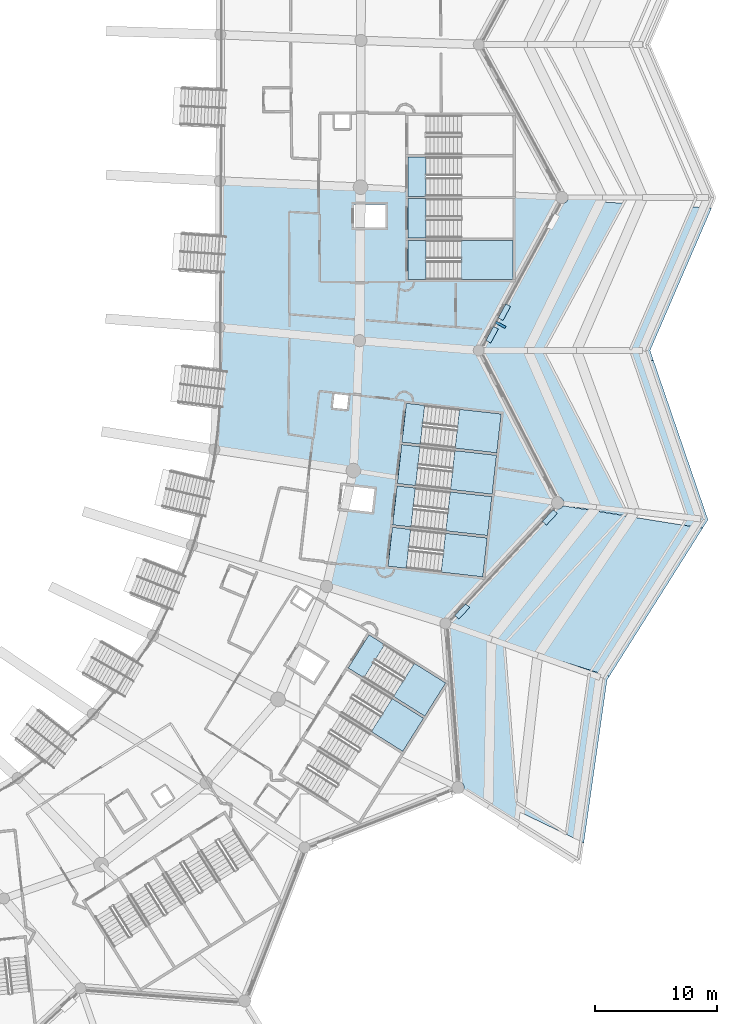
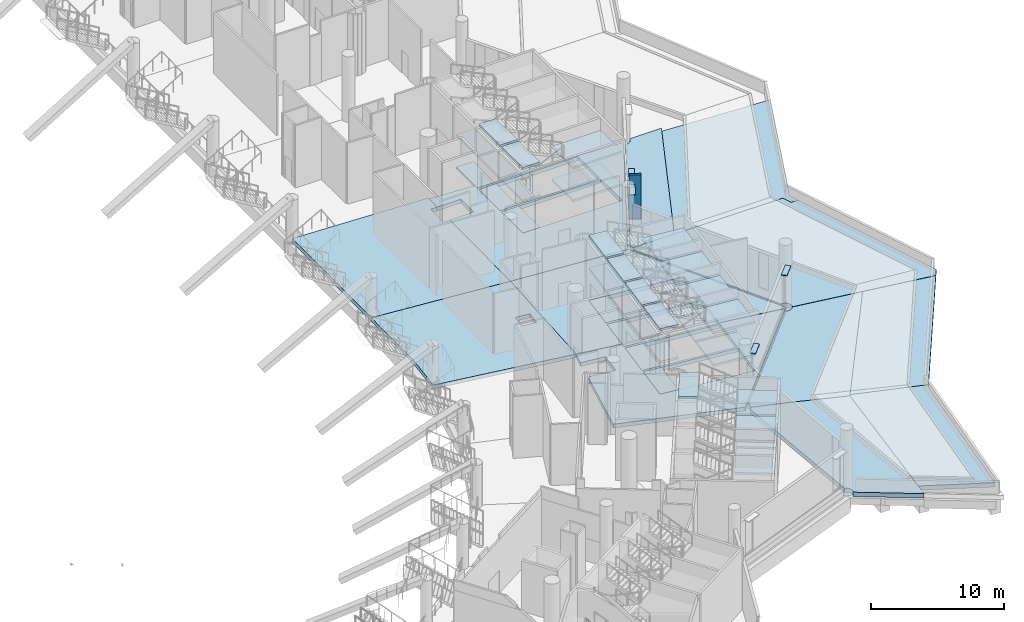
# One storey, part 30 of 173: 47 slabs, 5 plates, 9 elements without a shape of their own.
"""IFC4 building model written with IfcOpenShell, lengths in metres."""

from ifc_helpers import new_model, si_unit, direction, frame, origin, origin_2d, place, context, subcontext, project, spatial, polyline, rectangle, outline, extrude, material, layer, layer_set, type_object, element, aggregate, save


model = new_model("IFC4")

# Units and contexts
model_context = context("Model", 3, precision=1e-05, world=origin(), true_north=direction((0.0, 1.0)))
body_context = subcontext(model_context, "Body", "Model", "MODEL_VIEW")
ifc_project = project(units=[si_unit("LENGTHUNIT", "METRE"), si_unit("AREAUNIT", "SQUARE_METRE"), si_unit("VOLUMEUNIT", "CUBIC_METRE"), si_unit("PLANEANGLEUNIT", "RADIAN"), si_unit("MASSUNIT", "GRAM", prefix="KILO")], contexts=[model_context])

# Site, building, storey
site_placement = place(None, origin())
site = spatial("IfcSite", under=ifc_project, at=site_placement, CompositionType="ELEMENT")
building_placement = place(site_placement, origin())
building = spatial("IfcBuilding", under=site, at=building_placement, Name="Meseta Stadium", CompositionType="ELEMENT")
storey_placement = place(building_placement, frame((0.0, 0.0, 18.0)))
storey = spatial("IfcBuildingStorey", under=building, at=storey_placement, Name="L03", CompositionType="ELEMENT", Elevation=18.0)

# Slabs
ifc_material_1 = material(Name="Concrete C40/50", Category="concrete")
ifc_layer_1 = layer(ifc_material_1, 0.35009765625)
ifc_layer_set_1 = layer_set([ifc_layer_1], Name="Floor slab 350")
slab_type_1 = type_object("IfcSlabType", Name="Floor slab 350", PredefinedType="FLOOR", material=ifc_layer_set_1)
slab_1_placement = place(storey_placement, frame((0.0, 0.0, -0.35009765625)))
element("IfcSlab", 1, at=slab_1_placement, inside=storey, type_object=slab_type_1, Name="Floor slab L03 sector 00 panel 01", PredefinedType="FLOOR", context=body_context, shape_type="SweptSolid", body=[
    extrude(outline(polyline([(73.40478515625, -41.8623046875), (73.375732421875, -47.840087890625), (73.287353515625, -49.1796875), (73.15966796875, -50.515625), (72.993408203125, -51.837158203125), (84.34033203125, -53.664794921875), (84.36328125, -53.5654296875), (84.85400390625, -42.948486328125), (73.40478515625, -41.8623046875)]), holes=[polyline([(83.84716796875, -48.57861328125), (82.65478515625, -48.444091796875), (82.7890625, -47.251708984375), (83.9814453125, -47.385986328125), (83.84716796875, -48.57861328125)])]), origin(), (0.0, 0.0, 1.0), 0.35009765625),
])
slab_2_placement = place(storey_placement, frame((0.0, 0.0, -0.35009765625)))
element("IfcSlab", 2, at=slab_2_placement, inside=storey, type_object=slab_type_1, Name="Floor slab L03 sector 00 panel 03", PredefinedType="FLOOR", context=body_context, shape_type="SweptSolid", body=[
    extrude(outline(polyline([(84.39990234375, -31.800048828125), (84.93115234375, -31.800048828125), (84.940673828125, -30.404052734375), (73.451416015625, -29.904052734375), (73.429931640625, -35.883544921875), (73.40478515625, -41.8623046875), (84.85400390625, -42.948486328125), (84.91796875, -33.699951171875), (84.39990234375, -33.699951171875), (84.39990234375, -31.800048828125)])), origin(), (0.0, 0.0, 1.0), 0.35009765625),
])
slab_3_placement = place(storey_placement, frame((0.0, 0.0, -0.35009765625)))
element("IfcSlab", 3, at=slab_3_placement, inside=storey, type_object=slab_type_1, Name="Floor slab L03 sector 00 panel 11", PredefinedType="FLOOR", context=body_context, shape_type="SweptSolid", body=[
    extrude(outline(polyline([(84.91796875, -33.699951171875), (84.85400390625, -42.948486328125), (94.60009765625, -43.75), (101.301513671875, -31.430908203125), (96.176025390625, -31.14990234375), (88.800048828125, -31.14990234375), (88.800048828125, -30.74560546875), (84.939697265625, -30.533935546875), (84.93115234375, -31.800048828125), (87.0, -31.800048828125), (87.0, -33.699951171875), (84.91796875, -33.699951171875)]), holes=[polyline([(88.800048828125, -34.75), (97.39990234375, -34.75), (97.39990234375, -37.949951171875), (88.800048828125, -37.949951171875), (88.800048828125, -34.75)]), polyline([(88.800048828125, -31.35009765625), (97.39990234375, -31.35009765625), (97.39990234375, -34.550048828125), (88.800048828125, -34.550048828125), (88.800048828125, -31.35009765625)])]), origin(), (0.0, 0.0, 1.0), 0.35009765625),
])
slab_4_placement = place(storey_placement, frame((0.0, 0.0, -0.35009765625)))
element("IfcSlab", 4, at=slab_4_placement, inside=storey, type_object=slab_type_1, Name="Floor slab L03 sector 00 panel 13", PredefinedType="FLOOR", context=body_context, shape_type="SweptSolid", body=[
    extrude(outline(polyline([(96.05517578125, -52.319091796875), (95.697509765625, -55.493896484375), (100.927490234375, -56.336181640625), (101.0517578125, -56.202880859375), (94.60009765625, -43.75), (84.85400390625, -42.948486328125), (84.36328125, -53.5654296875), (84.34033203125, -53.664794921875), (87.98779296875, -54.252197265625), (88.30419921875, -51.44580078125), (96.05517578125, -52.319091796875)]), holes=[polyline([(96.077392578125, -52.1201171875), (88.326416015625, -51.246826171875), (88.684814453125, -48.06689453125), (96.435791015625, -48.9404296875), (96.077392578125, -52.1201171875)])]), origin(), (0.0, 0.0, 1.0), 0.35009765625),
])
slab_5_placement = place(storey_placement, frame((0.0, 0.0, -0.35009765625)))
element("IfcSlab", 5, at=slab_5_placement, inside=storey, type_object=slab_type_1, Name="Floor slab L03 sector 49 panel 12", PredefinedType="FLOOR", context=body_context, shape_type="SweptSolid", body=[
    extrude(outline(polyline([(82.169189453125, -63.03369140625), (91.872802734375, -66.051513671875), (100.910888671875, -56.353759765625), (95.3837890625, -55.463623046875), (87.94580078125, -54.62548828125), (87.985595703125, -54.272216796875), (84.335693359375, -53.684326171875), (84.0673828125, -54.842529296875), (86.08447265625, -55.06982421875), (85.87158203125, -56.9580078125), (83.635498046875, -56.7060546875), (82.169189453125, -63.03369140625)]), holes=[polyline([(87.1845703125, -61.3828125), (87.542724609375, -58.202880859375), (95.293701171875, -59.076171875), (94.935302734375, -62.256103515625), (87.1845703125, -61.3828125)]), polyline([(87.565185546875, -58.004150390625), (87.923583984375, -54.82421875), (95.67431640625, -55.697509765625), (95.316162109375, -58.87744140625), (87.565185546875, -58.004150390625)])]), origin(), (0.0, 0.0, 1.0), 0.35009765625),
])

# Plates
ifc_material_2 = material(Name="White precast concrete C40/50", Category="concrete")
ifc_layer_2 = layer(ifc_material_2, 0.080078125)
ifc_layer_set_2 = layer_set([ifc_layer_2], Name="Louvre hood 1300x450")
plate_type_1 = type_object("IfcPlateType", Name="Louvre hood 1300x450", PredefinedType="USERDEFINED", material=ifc_layer_set_2)
for number, where, z_axis, x_axis, name in (
    (6, (95.696044921875, -42.4677734375, 4.25), (0.0, 0.0, 1.0), (0.477867090202, 0.878432151109, 0.0), "Louvre hood L03 F01"),
    (7, (96.699462890625, -40.623046875, 4.25), (0.0, 0.0, 1.0), (0.477867090202, 0.878432151109, 0.0), "Louvre hood L03 F01"),
    (8, (93.253662109375, -65.083251953125, 4.25), (0.0, 0.0, 1.0), (0.681793203245, 0.731544959663, 0.0), "Louvre hood L03 F55"),
    (9, (100.41259765625, -57.40185546875, 4.25), (0.0, 0.0, 1.0), (0.681793203245, 0.731544959663, 0.0), "Louvre hood L03 F55"),
):
    element("IfcPlate", number, at=place(storey_placement, frame(where, z_axis=z_axis, x_axis=x_axis)), inside=storey, type_object=plate_type_1, Name=name, ObjectType="LOUVRE", PredefinedType="USERDEFINED", context=body_context, shape_type="SweptSolid", body=[
        extrude(rectangle(XDim=1.300048828125, YDim=0.449951171875, at=origin_2d()), origin(), (0.0, 0.0, 1.0), 0.080078125),
    ])
ifc_material_3 = material(Name="Precast concrete C40/50, terracotta pigment", Category="masonry")
ifc_layer_3 = layer(ifc_material_3, 0.199951171875)
ifc_layer_set_3 = layer_set([ifc_layer_3], Name="Precast concrete C40/50, terracotta pigment")
plate_type_2 = type_object("IfcPlateType", Name="Precast fin 200x900", PredefinedType="USERDEFINED", material=ifc_layer_set_3)
plate_placement = place(storey_placement, frame((96.395263671875, -41.653076171875, 0.9501953125), z_axis=(0.0, 0.0, 1.0), x_axis=(-0.47786723231, -0.878432073802, 0.0)))
element("IfcPlate", 10, at=plate_placement, inside=storey, type_object=plate_type_2, Name="Precast fin L03 F01.2", ObjectType="FIN", PredefinedType="USERDEFINED", context=body_context, shape_type="SweptSolid", body=[
    extrude(rectangle(XDim=0.199951171875, YDim=0.89990234375, at=origin_2d()), origin(), (0.0, 0.0, 1.0), 4.050048828125),
])

# Slabs
ifc_material_4 = material(Name="Concrete C40/50", Category="concrete")
ifc_layer_4 = layer(ifc_material_4, 0.39990234375)
ifc_layer_set_4 = layer_set([ifc_layer_4], Name="Roof garden slab 400")
slab_type_2 = type_object("IfcSlabType", Name="Roof garden slab 400", PredefinedType="ROOF", material=ifc_layer_set_4)
slab_6_placement = place(storey_placement, frame((0.0, 0.0, -0.39990234375)))
element("IfcSlab", 11, at=slab_6_placement, inside=storey, type_object=slab_type_2, Name="Roof garden slab 8 part 1 panel 01", PredefinedType="ROOF", context=body_context, shape_type="SweptSolid", body=[
    extrude(outline(polyline([(93.333740234375, -79.74169921875), (97.851806640625, -82.580810546875), (99.423828125, -68.69384765625), (95.08154296875, -67.17431640625), (92.2578125, -66.2890625), (92.193603515625, -66.37255859375), (92.099609375, -66.444580078125), (92.054931640625, -66.463134765625), (93.021240234375, -78.985107421875), (93.0390625, -78.9873046875), (93.16064453125, -79.037841796875), (93.26513671875, -79.117919921875), (93.34521484375, -79.222412109375), (93.395751953125, -79.343994140625), (93.412841796875, -79.474609375), (93.395751953125, -79.60498046875), (93.34521484375, -79.726806640625), (93.333740234375, -79.74169921875)])), origin(), (0.0, 0.0, 1.0), 0.39990234375),
])
slab_7_placement = place(storey_placement, frame((0.0, 0.0, -0.39990234375)))
element("IfcSlab", 12, at=slab_7_placement, inside=storey, type_object=slab_type_2, Name="Roof garden slab 8 part 1 panel 02", PredefinedType="ROOF", context=body_context, shape_type="SweptSolid", body=[
    extrude(outline(polyline([(95.08154296875, -67.17431640625), (99.423828125, -68.69384765625), (107.08056640625, -57.347412109375), (101.49169921875, -56.447265625), (101.48828125, -56.455078125), (101.408203125, -56.559326171875), (101.3037109375, -56.6396484375), (101.18212890625, -56.68994140625), (101.0517578125, -56.70703125), (100.921142578125, -56.68994140625), (100.835693359375, -56.654541015625), (92.27294921875, -65.842041015625), (92.31103515625, -65.93408203125), (92.32666015625, -66.051513671875), (92.31103515625, -66.1689453125), (92.265869140625, -66.278564453125), (92.2578125, -66.2890625), (95.08154296875, -67.17431640625)])), origin(), (0.0, 0.0, 1.0), 0.39990234375),
])
slab_8_placement = place(storey_placement, frame((0.0, 0.0, -0.39990234375)))
element("IfcSlab", 13, at=slab_8_placement, inside=storey, type_object=slab_type_2, Name="Roof garden slab 8 part 1 panel 04", PredefinedType="ROOF", context=body_context, shape_type="SweptSolid", body=[
    extrude(outline(polyline([(99.51171875, -68.5634765625), (99.423828125, -68.69384765625), (97.9755859375, -81.487060546875), (103.186279296875, -83.992919921875), (105.087158203125, -70.675537109375), (105.27880859375, -70.37158203125), (99.51171875, -68.5634765625)])), origin(), (0.0, 0.0, 1.0), 0.39990234375),
])
slab_9_placement = place(storey_placement, frame((0.0, 0.0, -0.39990234375)))
element("IfcSlab", 14, at=slab_9_placement, inside=storey, type_object=slab_type_2, Name="Roof garden slab 8 part 1 panel 05", PredefinedType="ROOF", context=body_context, shape_type="SweptSolid", body=[
    extrude(outline(polyline([(107.08056640625, -57.347412109375), (99.51171875, -68.5634765625), (105.27880859375, -70.37158203125), (112.895263671875, -58.283935546875), (107.08056640625, -57.347412109375)])), origin(), (0.0, 0.0, 1.0), 0.39990234375),
])
slab_10_placement = place(storey_placement, frame((0.0, 0.0, -0.39990234375)))
element("IfcSlab", 15, at=slab_10_placement, inside=storey, type_object=slab_type_2, Name="Roof garden slab 8 part 2 panel 01", PredefinedType="ROOF", context=body_context, shape_type="SweptSolid", body=[
    extrude(outline(polyline([(101.652099609375, -31.686767578125), (101.530517578125, -31.737060546875), (101.39990234375, -31.75439453125), (101.30322265625, -31.74169921875), (94.935302734375, -43.44775390625), (94.9931640625, -43.523193359375), (95.038330078125, -43.632568359375), (95.053955078125, -43.75), (98.0, -43.75), (98.578369140625, -43.79443359375), (104.699951171875, -31.25), (101.904296875, -31.25), (101.88720703125, -31.380615234375), (101.836669921875, -31.502197265625), (101.756591796875, -31.606689453125), (101.652099609375, -31.686767578125)])), origin(), (0.0, 0.0, 1.0), 0.39990234375),
])
slab_11_placement = place(storey_placement, frame((0.0, 0.0, -0.39990234375)))
element("IfcSlab", 16, at=slab_11_placement, inside=storey, type_object=slab_type_2, Name="Roof garden slab 8 part 2 panel 03", PredefinedType="ROOF", context=body_context, shape_type="SweptSolid", body=[
    extrude(outline(polyline([(108.0, -43.75), (98.60009765625, -43.75), (98.578369140625, -43.79443359375), (98.0, -43.75), (95.053955078125, -43.75), (95.038330078125, -43.867431640625), (94.9931640625, -43.976806640625), (94.929443359375, -44.059814453125), (100.965087890625, -55.7099609375), (101.0517578125, -55.698486328125), (101.18212890625, -55.7158203125), (101.3037109375, -55.76611328125), (101.408203125, -55.84619140625), (101.48828125, -55.95068359375), (101.538818359375, -56.072265625), (101.555908203125, -56.202880859375), (101.538818359375, -56.33349609375), (101.49951171875, -56.42822265625), (112.906982421875, -58.265380859375), (113.334716796875, -57.5869140625), (108.885986328125, -44.58544921875), (108.271240234375, -44.538330078125), (108.0, -43.75)])), origin(), (0.0, 0.0, 1.0), 0.39990234375),
])
slab_12_placement = place(storey_placement, frame((0.0, 0.0, -0.39990234375)))
element("IfcSlab", 17, at=slab_12_placement, inside=storey, type_object=slab_type_2, Name="Roof garden slab 8 part 2 panel 05", PredefinedType="ROOF", context=body_context, shape_type="SweptSolid", body=[
    extrude(outline(polyline([(104.525390625, -31.60791015625), (98.60009765625, -43.75), (108.0, -43.75), (108.271240234375, -44.538330078125), (108.885986328125, -44.58544921875), (108.60009765625, -43.75), (113.6298828125, -32.10693359375), (104.525390625, -31.60791015625)])), origin(), (0.0, 0.0, 1.0), 0.39990234375),
])

# Stair, slabs
ifc_material_5 = material(Name="Concrete C40/50", Category="concrete")
stair_type = type_object("IfcStairType", Name="Exit stair 4 flights 150 mm risers", PredefinedType="HALF_TURN_STAIR", material=ifc_material_5)
stair_1_placement = place(storey_placement, origin())
stair_1 = element("IfcStair", 18, at=stair_1_placement, inside=storey, type_object=stair_type, Name="ST1 L03", PredefinedType="HALF_TURN_STAIR")
ifc_material_6 = material(Name="Concrete C40/50", Category="concrete")
ifc_layer_5 = layer(ifc_material_6, 0.199951171875)
ifc_layer_set_5 = layer_set([ifc_layer_5], Name="Stair landing 200")
slab_type_3 = type_object("IfcSlabType", Name="Stair landing 200", PredefinedType="LANDING", material=ifc_layer_set_5)
slab_13_placement = place(storey_placement, frame((0.0, 0.0, 1.300048828125)))
slab_13 = element("IfcSlab", 19, at=slab_13_placement, type_object=slab_type_3, Name="ST1 L03 landing 1", PredefinedType="LANDING", context=body_context, shape_type="SweptSolid", body=[
    extrude(outline(polyline([(91.527099609375, -61.8720703125), (94.935546875, -62.256103515625), (95.293701171875, -59.076171875), (91.88525390625, -58.692138671875), (91.527099609375, -61.8720703125)])), origin(), (0.0, 0.0, 1.0), 0.199951171875),
])
slab_14_placement = place(storey_placement, frame((0.0, 0.0, 2.800048828125)))
slab_14 = element("IfcSlab", 20, at=slab_14_placement, type_object=slab_type_3, Name="ST1 L03 landing 2", PredefinedType="LANDING", context=body_context, shape_type="SweptSolid", body=[
    extrude(outline(polyline([(87.1845703125, -61.3828125), (88.68505859375, -61.5517578125), (89.043212890625, -58.3720703125), (87.542724609375, -58.202880859375), (87.1845703125, -61.3828125)])), origin(), (0.0, 0.0, 1.0), 0.199951171875),
])
slab_15_placement = place(storey_placement, frame((0.0, 0.0, 4.300048828125)))
slab_15 = element("IfcSlab", 21, at=slab_15_placement, type_object=slab_type_3, Name="ST1 L03 landing 3", PredefinedType="LANDING", context=body_context, shape_type="SweptSolid", body=[
    extrude(outline(polyline([(91.527099609375, -61.8720703125), (94.935546875, -62.256103515625), (95.293701171875, -59.076171875), (91.88525390625, -58.692138671875), (91.527099609375, -61.8720703125)])), origin(), (0.0, 0.0, 1.0), 0.199951171875),
])
slab_16_placement = place(storey_placement, frame((0.0, 0.0, -0.199951171875)))
slab_16 = element("IfcSlab", 22, at=slab_16_placement, type_object=slab_type_3, Name="ST1 L03 landing 4", PredefinedType="LANDING", context=body_context, shape_type="SweptSolid", body=[
    extrude(outline(polyline([(87.1845703125, -61.3828125), (88.68505859375, -61.5517578125), (89.043212890625, -58.3720703125), (87.542724609375, -58.202880859375), (87.1845703125, -61.3828125)])), origin(), (0.0, 0.0, 1.0), 0.199951171875),
])
slab_17_placement = place(storey_placement, frame((0.0, 0.0, 5.800048828125)))
slab_17 = element("IfcSlab", 23, at=slab_17_placement, type_object=slab_type_3, Name="ST1 L03 landing 5", PredefinedType="LANDING", context=body_context, shape_type="SweptSolid", body=[
    extrude(outline(polyline([(87.1845703125, -61.3828125), (88.68505859375, -61.5517578125), (89.043212890625, -58.3720703125), (87.542724609375, -58.202880859375), (87.1845703125, -61.3828125)])), origin(), (0.0, 0.0, 1.0), 0.199951171875),
])
aggregate(stair_1, [slab_13, slab_14, slab_15, slab_16, slab_17])

stair_2_placement = place(storey_placement, origin())
stair_2 = element("IfcStair", 24, at=stair_2_placement, inside=storey, type_object=stair_type, Name="ST2 L03", PredefinedType="HALF_TURN_STAIR")
slab_18_placement = place(storey_placement, frame((0.0, 0.0, 1.300048828125)))
slab_18 = element("IfcSlab", 25, at=slab_18_placement, type_object=slab_type_3, Name="ST2 L03 landing 1", PredefinedType="LANDING", context=body_context, shape_type="SweptSolid", body=[
    extrude(outline(polyline([(91.90771484375, -58.493408203125), (95.316162109375, -58.87744140625), (95.67431640625, -55.697509765625), (92.265869140625, -55.3134765625), (91.90771484375, -58.493408203125)])), origin(), (0.0, 0.0, 1.0), 0.199951171875),
])
slab_19_placement = place(storey_placement, frame((0.0, 0.0, 2.800048828125)))
slab_19 = element("IfcSlab", 26, at=slab_19_placement, type_object=slab_type_3, Name="ST2 L03 landing 2", PredefinedType="LANDING", context=body_context, shape_type="SweptSolid", body=[
    extrude(outline(polyline([(87.565185546875, -58.004150390625), (89.065673828125, -58.17333984375), (89.424072265625, -54.993408203125), (87.92333984375, -54.82421875), (87.565185546875, -58.004150390625)])), origin(), (0.0, 0.0, 1.0), 0.199951171875),
])
slab_20_placement = place(storey_placement, frame((0.0, 0.0, 4.300048828125)))
slab_20 = element("IfcSlab", 27, at=slab_20_placement, type_object=slab_type_3, Name="ST2 L03 landing 3", PredefinedType="LANDING", context=body_context, shape_type="SweptSolid", body=[
    extrude(outline(polyline([(91.90771484375, -58.493408203125), (95.316162109375, -58.87744140625), (95.67431640625, -55.697509765625), (92.265869140625, -55.3134765625), (91.90771484375, -58.493408203125)])), origin(), (0.0, 0.0, 1.0), 0.199951171875),
])
slab_21_placement = place(storey_placement, frame((0.0, 0.0, -0.199951171875)))
slab_21 = element("IfcSlab", 28, at=slab_21_placement, type_object=slab_type_3, Name="ST2 L03 landing 4", PredefinedType="LANDING", context=body_context, shape_type="SweptSolid", body=[
    extrude(outline(polyline([(87.565185546875, -58.004150390625), (89.065673828125, -58.17333984375), (89.424072265625, -54.993408203125), (87.92333984375, -54.82421875), (87.565185546875, -58.004150390625)])), origin(), (0.0, 0.0, 1.0), 0.199951171875),
])
slab_22_placement = place(storey_placement, frame((0.0, 0.0, 5.800048828125)))
slab_22 = element("IfcSlab", 29, at=slab_22_placement, type_object=slab_type_3, Name="ST2 L03 landing 5", PredefinedType="LANDING", context=body_context, shape_type="SweptSolid", body=[
    extrude(outline(polyline([(87.565185546875, -58.004150390625), (89.065673828125, -58.17333984375), (89.424072265625, -54.993408203125), (87.92333984375, -54.82421875), (87.565185546875, -58.004150390625)])), origin(), (0.0, 0.0, 1.0), 0.199951171875),
])
aggregate(stair_2, [slab_18, slab_19, slab_20, slab_21, slab_22])

stair_3_placement = place(storey_placement, origin())
stair_3 = element("IfcStair", 30, at=stair_3_placement, inside=storey, type_object=stair_type, Name="ST3 L03", PredefinedType="HALF_TURN_STAIR")
slab_23_placement = place(storey_placement, frame((0.0, 0.0, 1.300048828125)))
slab_23 = element("IfcSlab", 31, at=slab_23_placement, type_object=slab_type_3, Name="ST3 L03 landing 1", PredefinedType="LANDING", context=body_context, shape_type="SweptSolid", body=[
    extrude(outline(polyline([(92.288330078125, -55.11474609375), (95.69677734375, -55.498779296875), (96.05517578125, -52.319091796875), (92.646728515625, -51.934814453125), (92.288330078125, -55.11474609375)])), origin(), (0.0, 0.0, 1.0), 0.199951171875),
])
slab_24_placement = place(storey_placement, frame((0.0, 0.0, 2.800048828125)))
slab_24 = element("IfcSlab", 32, at=slab_24_placement, type_object=slab_type_3, Name="ST3 L03 landing 2", PredefinedType="LANDING", context=body_context, shape_type="SweptSolid", body=[
    extrude(outline(polyline([(87.94580078125, -54.62548828125), (89.4462890625, -54.794677734375), (89.8046875, -51.61474609375), (88.30419921875, -51.445556640625), (87.94580078125, -54.62548828125)])), origin(), (0.0, 0.0, 1.0), 0.199951171875),
])
slab_25_placement = place(storey_placement, frame((0.0, 0.0, 4.300048828125)))
slab_25 = element("IfcSlab", 33, at=slab_25_placement, type_object=slab_type_3, Name="ST3 L03 landing 3", PredefinedType="LANDING", context=body_context, shape_type="SweptSolid", body=[
    extrude(outline(polyline([(92.288330078125, -55.11474609375), (95.69677734375, -55.498779296875), (96.05517578125, -52.319091796875), (92.646728515625, -51.934814453125), (92.288330078125, -55.11474609375)])), origin(), (0.0, 0.0, 1.0), 0.199951171875),
])
slab_26_placement = place(storey_placement, frame((0.0, 0.0, -0.199951171875)))
slab_26 = element("IfcSlab", 34, at=slab_26_placement, type_object=slab_type_3, Name="ST3 L03 landing 4", PredefinedType="LANDING", context=body_context, shape_type="SweptSolid", body=[
    extrude(outline(polyline([(87.94580078125, -54.62548828125), (89.4462890625, -54.794677734375), (89.8046875, -51.61474609375), (88.30419921875, -51.445556640625), (87.94580078125, -54.62548828125)])), origin(), (0.0, 0.0, 1.0), 0.199951171875),
])
slab_27_placement = place(storey_placement, frame((0.0, 0.0, 5.800048828125)))
slab_27 = element("IfcSlab", 35, at=slab_27_placement, type_object=slab_type_3, Name="ST3 L03 landing 5", PredefinedType="LANDING", context=body_context, shape_type="SweptSolid", body=[
    extrude(outline(polyline([(87.94580078125, -54.62548828125), (89.4462890625, -54.794677734375), (89.8046875, -51.61474609375), (88.30419921875, -51.445556640625), (87.94580078125, -54.62548828125)])), origin(), (0.0, 0.0, 1.0), 0.199951171875),
])
aggregate(stair_3, [slab_23, slab_24, slab_25, slab_26, slab_27])

stair_4_placement = place(storey_placement, origin())
stair_4 = element("IfcStair", 36, at=stair_4_placement, inside=storey, type_object=stair_type, Name="ST4 L03", PredefinedType="HALF_TURN_STAIR")
slab_28_placement = place(storey_placement, frame((0.0, 0.0, 1.300048828125)))
slab_28 = element("IfcSlab", 37, at=slab_28_placement, type_object=slab_type_3, Name="ST4 L03 landing 1", PredefinedType="LANDING", context=body_context, shape_type="SweptSolid", body=[
    extrude(outline(polyline([(92.6689453125, -51.736083984375), (96.077392578125, -52.1201171875), (96.435791015625, -48.9404296875), (93.02734375, -48.556396484375), (92.6689453125, -51.736083984375)])), origin(), (0.0, 0.0, 1.0), 0.199951171875),
])
slab_29_placement = place(storey_placement, frame((0.0, 0.0, 2.800048828125)))
slab_29 = element("IfcSlab", 38, at=slab_29_placement, type_object=slab_type_3, Name="ST4 L03 landing 2", PredefinedType="LANDING", context=body_context, shape_type="SweptSolid", body=[
    extrude(outline(polyline([(88.326416015625, -51.246826171875), (89.8271484375, -51.416015625), (90.185302734375, -48.236083984375), (88.684814453125, -48.067138671875), (88.326416015625, -51.246826171875)])), origin(), (0.0, 0.0, 1.0), 0.199951171875),
])
slab_30_placement = place(storey_placement, frame((0.0, 0.0, 4.300048828125)))
slab_30 = element("IfcSlab", 39, at=slab_30_placement, type_object=slab_type_3, Name="ST4 L03 landing 3", PredefinedType="LANDING", context=body_context, shape_type="SweptSolid", body=[
    extrude(outline(polyline([(92.6689453125, -51.736083984375), (96.077392578125, -52.1201171875), (96.435791015625, -48.9404296875), (93.02734375, -48.556396484375), (92.6689453125, -51.736083984375)])), origin(), (0.0, 0.0, 1.0), 0.199951171875),
])
slab_31_placement = place(storey_placement, frame((0.0, 0.0, -0.199951171875)))
slab_31 = element("IfcSlab", 40, at=slab_31_placement, type_object=slab_type_3, Name="ST4 L03 landing 4", PredefinedType="LANDING", context=body_context, shape_type="SweptSolid", body=[
    extrude(outline(polyline([(88.326416015625, -51.246826171875), (89.8271484375, -51.416015625), (90.185302734375, -48.236083984375), (88.684814453125, -48.067138671875), (88.326416015625, -51.246826171875)])), origin(), (0.0, 0.0, 1.0), 0.199951171875),
])
slab_32_placement = place(storey_placement, frame((0.0, 0.0, 5.800048828125)))
slab_32 = element("IfcSlab", 41, at=slab_32_placement, type_object=slab_type_3, Name="ST4 L03 landing 5", PredefinedType="LANDING", context=body_context, shape_type="SweptSolid", body=[
    extrude(outline(polyline([(88.326416015625, -51.246826171875), (89.8271484375, -51.416015625), (90.185302734375, -48.236083984375), (88.684814453125, -48.067138671875), (88.326416015625, -51.246826171875)])), origin(), (0.0, 0.0, 1.0), 0.199951171875),
])
aggregate(stair_4, [slab_28, slab_29, slab_30, slab_31, slab_32])

stair_5_placement = place(storey_placement, origin())
stair_5 = element("IfcStair", 42, at=stair_5_placement, inside=storey, type_object=stair_type, Name="ST5 L03", PredefinedType="HALF_TURN_STAIR")
slab_33_placement = place(storey_placement, frame((0.0, 0.0, 1.300048828125)))
slab_33 = element("IfcSlab", 43, at=slab_33_placement, type_object=slab_type_3, Name="ST5 L03 landing 1", PredefinedType="LANDING", context=body_context, shape_type="SweptSolid", body=[
    extrude(outline(polyline([(93.169921875, -37.949951171875), (97.39990234375, -37.949951171875), (97.39990234375, -34.75), (93.169921875, -34.75), (93.169921875, -37.949951171875)])), origin(), (0.0, 0.0, 1.0), 0.199951171875),
])
slab_34_placement = place(storey_placement, frame((0.0, 0.0, 2.800048828125)))
slab_34 = element("IfcSlab", 44, at=slab_34_placement, type_object=slab_type_3, Name="ST5 L03 landing 2", PredefinedType="LANDING", context=body_context, shape_type="SweptSolid", body=[
    extrude(outline(polyline([(88.800048828125, -37.949951171875), (90.31005859375, -37.949951171875), (90.31005859375, -34.75), (88.800048828125, -34.75), (88.800048828125, -37.949951171875)])), origin(), (0.0, 0.0, 1.0), 0.199951171875),
])
slab_35_placement = place(storey_placement, frame((0.0, 0.0, 4.300048828125)))
slab_35 = element("IfcSlab", 45, at=slab_35_placement, type_object=slab_type_3, Name="ST5 L03 landing 3", PredefinedType="LANDING", context=body_context, shape_type="SweptSolid", body=[
    extrude(outline(polyline([(93.169921875, -37.949951171875), (97.39990234375, -37.949951171875), (97.39990234375, -34.75), (93.169921875, -34.75), (93.169921875, -37.949951171875)])), origin(), (0.0, 0.0, 1.0), 0.199951171875),
])
slab_36_placement = place(storey_placement, frame((0.0, 0.0, -0.199951171875)))
slab_36 = element("IfcSlab", 46, at=slab_36_placement, type_object=slab_type_3, Name="ST5 L03 landing 4", PredefinedType="LANDING", context=body_context, shape_type="SweptSolid", body=[
    extrude(outline(polyline([(88.800048828125, -37.949951171875), (90.31005859375, -37.949951171875), (90.31005859375, -34.75), (88.800048828125, -34.75), (88.800048828125, -37.949951171875)])), origin(), (0.0, 0.0, 1.0), 0.199951171875),
])
slab_37_placement = place(storey_placement, frame((0.0, 0.0, 5.800048828125)))
slab_37 = element("IfcSlab", 47, at=slab_37_placement, type_object=slab_type_3, Name="ST5 L03 landing 5", PredefinedType="LANDING", context=body_context, shape_type="SweptSolid", body=[
    extrude(outline(polyline([(88.800048828125, -37.949951171875), (90.31005859375, -37.949951171875), (90.31005859375, -34.75), (88.800048828125, -34.75), (88.800048828125, -37.949951171875)])), origin(), (0.0, 0.0, 1.0), 0.199951171875),
])
aggregate(stair_5, [slab_33, slab_34, slab_35, slab_36, slab_37])

stair_6_placement = place(storey_placement, origin())
stair_6 = element("IfcStair", 48, at=stair_6_placement, inside=storey, type_object=stair_type, Name="ST6 L03", PredefinedType="HALF_TURN_STAIR")
slab_38_placement = place(storey_placement, frame((0.0, 0.0, 2.800048828125)))
slab_38 = element("IfcSlab", 49, at=slab_38_placement, type_object=slab_type_3, Name="ST6 L03 landing 2", PredefinedType="LANDING", context=body_context, shape_type="SweptSolid", body=[
    extrude(outline(polyline([(88.800048828125, -34.550048828125), (90.31005859375, -34.550048828125), (90.31005859375, -31.35009765625), (88.800048828125, -31.35009765625), (88.800048828125, -34.550048828125)])), origin(), (0.0, 0.0, 1.0), 0.199951171875),
])
slab_39_placement = place(storey_placement, frame((0.0, 0.0, -0.199951171875)))
slab_39 = element("IfcSlab", 50, at=slab_39_placement, type_object=slab_type_3, Name="ST6 L03 landing 4", PredefinedType="LANDING", context=body_context, shape_type="SweptSolid", body=[
    extrude(outline(polyline([(88.800048828125, -34.550048828125), (90.31005859375, -34.550048828125), (90.31005859375, -31.35009765625), (88.800048828125, -31.35009765625), (88.800048828125, -34.550048828125)])), origin(), (0.0, 0.0, 1.0), 0.199951171875),
])
slab_40_placement = place(storey_placement, frame((0.0, 0.0, 5.800048828125)))
slab_40 = element("IfcSlab", 51, at=slab_40_placement, type_object=slab_type_3, Name="ST6 L03 landing 5", PredefinedType="LANDING", context=body_context, shape_type="SweptSolid", body=[
    extrude(outline(polyline([(88.800048828125, -34.550048828125), (90.31005859375, -34.550048828125), (90.31005859375, -31.35009765625), (88.800048828125, -31.35009765625), (88.800048828125, -34.550048828125)])), origin(), (0.0, 0.0, 1.0), 0.199951171875),
])
aggregate(stair_6, [slab_38, slab_39, slab_40])

stair_7_placement = place(storey_placement, origin())
stair_7 = element("IfcStair", 52, at=stair_7_placement, inside=storey, type_object=stair_type, Name="ST7 L03", PredefinedType="HALF_TURN_STAIR")
slab_41_placement = place(storey_placement, frame((0.0, 0.0, 2.800048828125)))
slab_41 = element("IfcSlab", 53, at=slab_41_placement, type_object=slab_type_3, Name="ST7 L03 landing 2", PredefinedType="LANDING", context=body_context, shape_type="SweptSolid", body=[
    extrude(outline(polyline([(88.800048828125, -31.14990234375), (90.31005859375, -31.14990234375), (90.31005859375, -27.949951171875), (88.800048828125, -27.949951171875), (88.800048828125, -31.14990234375)])), origin(), (0.0, 0.0, 1.0), 0.199951171875),
])
slab_42_placement = place(storey_placement, frame((0.0, 0.0, -0.199951171875)))
slab_42 = element("IfcSlab", 54, at=slab_42_placement, type_object=slab_type_3, Name="ST7 L03 landing 4", PredefinedType="LANDING", context=body_context, shape_type="SweptSolid", body=[
    extrude(outline(polyline([(88.800048828125, -31.14990234375), (90.31005859375, -31.14990234375), (90.31005859375, -27.949951171875), (88.800048828125, -27.949951171875), (88.800048828125, -31.14990234375)])), origin(), (0.0, 0.0, 1.0), 0.199951171875),
])
aggregate(stair_7, [slab_41, slab_42])

stair_8_placement = place(storey_placement, origin())
stair_8 = element("IfcStair", 55, at=stair_8_placement, inside=storey, type_object=stair_type, Name="ST111 L03", PredefinedType="HALF_TURN_STAIR")
slab_43_placement = place(storey_placement, frame((0.0, 0.0, 1.300048828125)))
slab_43 = element("IfcSlab", 56, at=slab_43_placement, type_object=slab_type_3, Name="ST111 L03 landing 1", PredefinedType="LANDING", context=body_context, shape_type="SweptSolid", body=[
    extrude(outline(polyline([(85.82373046875, -74.90478515625), (88.389404296875, -76.516845703125), (90.091796875, -73.807373046875), (87.5263671875, -72.1953125), (85.82373046875, -74.90478515625)])), origin(), (0.0, 0.0, 1.0), 0.199951171875),
])
slab_44_placement = place(storey_placement, frame((0.0, 0.0, 4.300048828125)))
slab_44 = element("IfcSlab", 57, at=slab_44_placement, type_object=slab_type_3, Name="ST111 L03 landing 3", PredefinedType="LANDING", context=body_context, shape_type="SweptSolid", body=[
    extrude(outline(polyline([(85.82373046875, -74.90478515625), (88.389404296875, -76.516845703125), (90.091796875, -73.807373046875), (87.5263671875, -72.1953125), (85.82373046875, -74.90478515625)])), origin(), (0.0, 0.0, 1.0), 0.199951171875),
])
aggregate(stair_8, [slab_43, slab_44])

stair_9_placement = place(storey_placement, origin())
stair_9 = element("IfcStair", 58, at=stair_9_placement, inside=storey, type_object=stair_type, Name="ST112 L03", PredefinedType="HALF_TURN_STAIR")
slab_45_placement = place(storey_placement, frame((0.0, 0.0, 1.300048828125)))
slab_45 = element("IfcSlab", 59, at=slab_45_placement, type_object=slab_type_3, Name="ST112 L03 landing 1", PredefinedType="LANDING", context=body_context, shape_type="SweptSolid", body=[
    extrude(outline(polyline([(87.6328125, -72.026123046875), (90.1982421875, -73.63818359375), (91.90087890625, -70.928466796875), (89.335205078125, -69.31640625), (87.6328125, -72.026123046875)])), origin(), (0.0, 0.0, 1.0), 0.199951171875),
])
slab_46_placement = place(storey_placement, frame((0.0, 0.0, 4.300048828125)))
slab_46 = element("IfcSlab", 60, at=slab_46_placement, type_object=slab_type_3, Name="ST112 L03 landing 3", PredefinedType="LANDING", context=body_context, shape_type="SweptSolid", body=[
    extrude(outline(polyline([(87.6328125, -72.026123046875), (90.1982421875, -73.63818359375), (91.90087890625, -70.928466796875), (89.335205078125, -69.31640625), (87.6328125, -72.026123046875)])), origin(), (0.0, 0.0, 1.0), 0.199951171875),
])
slab_47_placement = place(storey_placement, frame((0.0, 0.0, 5.800048828125)))
slab_47 = element("IfcSlab", 61, at=slab_47_placement, type_object=slab_type_3, Name="ST112 L03 landing 5", PredefinedType="LANDING", context=body_context, shape_type="SweptSolid", body=[
    extrude(outline(polyline([(83.9326171875, -69.700927734375), (85.211181640625, -70.50439453125), (86.91357421875, -67.794921875), (85.635009765625, -66.991455078125), (83.9326171875, -69.700927734375)])), origin(), (0.0, 0.0, 1.0), 0.199951171875),
])
aggregate(stair_9, [slab_45, slab_46, slab_47])

save(model, "model.ifc")
